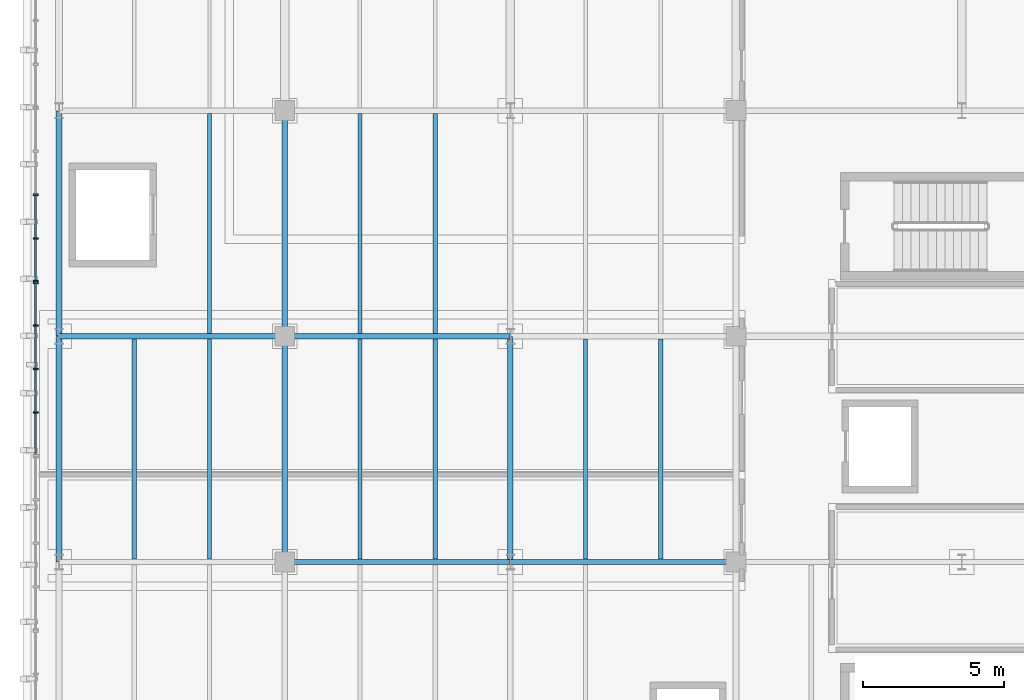
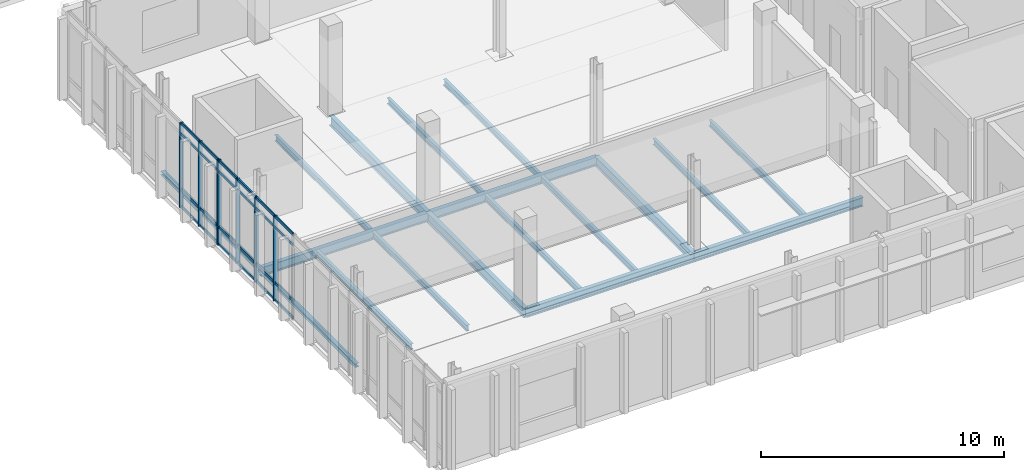
# One storey, part 20 of 100: 31 members, 18 beams, 2 elements without a shape of their own.
"""IFC4 building model written with IfcOpenShell, lengths in metres."""

from ifc_helpers import new_model, si_unit, direction, frame, origin, origin_2d, place, context, subcontext, project, spatial, rectangle, i_section, extrude, material, material_profile, profile_set, type_object, element, aggregate, save


model = new_model("IFC4")

# Units and contexts
model_context = context("Model", 3, precision=1e-05, world=origin(), true_north=direction((0.0, 1.0)))
body_context = subcontext(model_context, "Body", "Model", "MODEL_VIEW")
ifc_project = project(units=[si_unit("LENGTHUNIT", "METRE"), si_unit("AREAUNIT", "SQUARE_METRE"), si_unit("VOLUMEUNIT", "CUBIC_METRE"), si_unit("PLANEANGLEUNIT", "RADIAN"), si_unit("MASSUNIT", "GRAM", prefix="KILO")], contexts=[model_context])

# Site, building, storey
site_placement = place(None, origin())
site = spatial("IfcSite", under=ifc_project, at=site_placement, CompositionType="ELEMENT")
building_placement = place(site_placement, origin())
building = spatial("IfcBuilding", under=site, at=building_placement, Name="Cymarion Research Institute", CompositionType="ELEMENT")
storey_placement = place(building_placement, frame((0.0, 0.0, 4.800048828125)))
storey = spatial("IfcBuildingStorey", under=building, at=storey_placement, Name="L01", CompositionType="ELEMENT", Elevation=4.800048828125)

# Curtain wall, members
ifc_material_1 = material(Name="Anodised aluminium unitised curtain wall with Low-E glazing", Category="aluminium")
curtain_wall_type = type_object("IfcCurtainWallType", Name="UNITISED CURTAIN WALL CW22 6180X4250", PredefinedType="NOTDEFINED", material=ifc_material_1)
curtain_wall_1_placement = place(storey_placement, origin())
curtain_wall_1 = element("IfcCurtainWall", 1, at=curtain_wall_1_placement, inside=storey, type_object=curtain_wall_type, Name="L01 V4 unitised curtain wall CW22 #45", PredefinedType="NOTDEFINED")
ifc_material_2 = material(Name="Anodised aluminium framing", Category="aluminium")
ifc_material_profile_1 = material_profile(ifc_material_2, rectangle(XDim=0.06005859375, YDim=0.179931640625, at=origin_2d()), Name="ALU MULLION 60x180")
ifc_profile_set_1 = profile_set([ifc_material_profile_1], Name="Anodised aluminium framing")
member_type_1 = type_object("IfcMemberType", Name="CURTAIN WALL MULLION ML01 60X180", PredefinedType="MULLION", material=ifc_profile_set_1)
member_1_placement = place(storey_placement, frame((5.77001953125, 68.5146484375, 0.0), z_axis=(0.0, 0.0, 1.0), x_axis=(0.0, -1.0, 0.0)))
member_1 = element("IfcMember", 2, at=member_1_placement, type_object=member_type_1, Name="CW22 mullion 3", PredefinedType="MULLION", context=body_context, shape_type="SweptSolid", body=[
    extrude(rectangle(XDim=0.06005859375, YDim=0.179931640625, at=origin_2d()), origin(), (0.0, 0.0, 1.0), 4.25),
])
member_2_placement = place(storey_placement, frame((5.77001953125, 66.970703125, 0.0), z_axis=(0.0, 0.0, 1.0), x_axis=(0.0, -1.0, 0.0)))
member_2 = element("IfcMember", 3, at=member_2_placement, type_object=member_type_1, Name="CW22 mullion 4", PredefinedType="MULLION", context=body_context, shape_type="SweptSolid", body=[
    extrude(rectangle(XDim=0.06005859375, YDim=0.179931640625, at=origin_2d()), origin(), (0.0, 0.0, 1.0), 4.25),
])
member_3_placement = place(storey_placement, frame((5.77001953125, 65.456787109375, 0.0), z_axis=(0.0, 0.0, 1.0), x_axis=(0.0, -1.0, 0.0)))
member_3 = element("IfcMember", 4, at=member_3_placement, type_object=member_type_1, Name="CW22 mullion 5", PredefinedType="MULLION", context=body_context, shape_type="SweptSolid", body=[
    extrude(rectangle(XDim=0.06005859375, YDim=0.179931640625, at=origin_2d()), origin(), (0.0, 0.0, 1.0), 4.25),
])

curtain_wall_2_placement = place(storey_placement, origin())
curtain_wall_2 = element("IfcCurtainWall", 5, at=curtain_wall_2_placement, inside=storey, type_object=curtain_wall_type, Name="L01 V4 unitised curtain wall CW22 #46", PredefinedType="NOTDEFINED")
member_4_placement = place(storey_placement, frame((5.77001953125, 65.396728515625, 0.0), z_axis=(0.0, 0.0, 1.0), x_axis=(0.0, -1.0, 0.0)))
member_4 = element("IfcMember", 6, at=member_4_placement, type_object=member_type_1, Name="CW22 mullion 1", PredefinedType="MULLION", context=body_context, shape_type="SweptSolid", body=[
    extrude(rectangle(XDim=0.06005859375, YDim=0.179931640625, at=origin_2d()), origin(), (0.0, 0.0, 1.0), 4.25),
])
member_5_placement = place(storey_placement, frame((5.77001953125, 63.8828125, 0.0), z_axis=(0.0, 0.0, 1.0), x_axis=(0.0, -1.0, 0.0)))
member_5 = element("IfcMember", 7, at=member_5_placement, type_object=member_type_1, Name="CW22 mullion 2", PredefinedType="MULLION", context=body_context, shape_type="SweptSolid", body=[
    extrude(rectangle(XDim=0.06005859375, YDim=0.179931640625, at=origin_2d()), origin(), (0.0, 0.0, 1.0), 4.25),
])
member_6_placement = place(storey_placement, frame((5.77001953125, 62.339111328125, 0.0), z_axis=(0.0, 0.0, 1.0), x_axis=(0.0, -1.0, 0.0)))
member_6 = element("IfcMember", 8, at=member_6_placement, type_object=member_type_1, Name="CW22 mullion 3", PredefinedType="MULLION", context=body_context, shape_type="SweptSolid", body=[
    extrude(rectangle(XDim=0.06005859375, YDim=0.179931640625, at=origin_2d()), origin(), (0.0, 0.0, 1.0), 4.25),
])
member_7_placement = place(storey_placement, frame((5.77001953125, 60.795166015625, 0.0), z_axis=(0.0, 0.0, 1.0), x_axis=(0.0, -1.0, 0.0)))
member_7 = element("IfcMember", 9, at=member_7_placement, type_object=member_type_1, Name="CW22 mullion 4", PredefinedType="MULLION", context=body_context, shape_type="SweptSolid", body=[
    extrude(rectangle(XDim=0.06005859375, YDim=0.179931640625, at=origin_2d()), origin(), (0.0, 0.0, 1.0), 4.25),
])

# Member
ifc_material_profile_2 = material_profile(ifc_material_2, rectangle(XDim=0.06005859375, YDim=0.14990234375, at=origin_2d()), Name="ALU TRANSOM 60x150")
ifc_profile_set_2 = profile_set([ifc_material_profile_2], Name="Anodised aluminium framing")
member_type_2 = type_object("IfcMemberType", Name="CURTAIN WALL TRANSOM TR01 60X150", PredefinedType="USERDEFINED", material=ifc_profile_set_2)
member_8_placement = place(storey_placement, frame((5.77001953125, 68.484619140625, 0.030029296875), z_axis=(0.0, -1.0, 0.0), x_axis=(1.0, 0.0, 0.0)))
member_8 = element("IfcMember", 10, at=member_8_placement, type_object=member_type_2, Name="CW22 transom 3.1", ObjectType="TRANSOM", PredefinedType="USERDEFINED", context=body_context, shape_type="SweptSolid", body=[
    extrude(rectangle(XDim=0.06005859375, YDim=0.14990234375, at=origin_2d()), origin(), (0.0, 0.0, 1.0), 1.48388671875),
])

member_9_placement = place(storey_placement, frame((5.77001953125, 68.484619140625, 0.89990234375), z_axis=(0.0, -1.0, 0.0), x_axis=(1.0, 0.0, 0.0)))
member_9 = element("IfcMember", 11, at=member_9_placement, type_object=member_type_2, Name="CW22 transom 3.2", ObjectType="TRANSOM", PredefinedType="USERDEFINED", context=body_context, shape_type="SweptSolid", body=[
    extrude(rectangle(XDim=0.06005859375, YDim=0.14990234375, at=origin_2d()), origin(), (0.0, 0.0, 1.0), 1.48388671875),
])

member_10_placement = place(storey_placement, frame((5.77001953125, 68.484619140625, 3.699951171875), z_axis=(0.0, -1.0, 0.0), x_axis=(1.0, 0.0, 0.0)))
member_10 = element("IfcMember", 12, at=member_10_placement, type_object=member_type_2, Name="CW22 transom 3.3", ObjectType="TRANSOM", PredefinedType="USERDEFINED", context=body_context, shape_type="SweptSolid", body=[
    extrude(rectangle(XDim=0.06005859375, YDim=0.14990234375, at=origin_2d()), origin(), (0.0, 0.0, 1.0), 1.48388671875),
])

member_11_placement = place(storey_placement, frame((5.77001953125, 68.484619140625, 4.219970703125), z_axis=(0.0, -1.0, 0.0), x_axis=(1.0, 0.0, 0.0)))
member_11 = element("IfcMember", 13, at=member_11_placement, type_object=member_type_2, Name="CW22 transom 3.4", ObjectType="TRANSOM", PredefinedType="USERDEFINED", context=body_context, shape_type="SweptSolid", body=[
    extrude(rectangle(XDim=0.06005859375, YDim=0.14990234375, at=origin_2d()), origin(), (0.0, 0.0, 1.0), 1.48388671875),
])

member_12_placement = place(storey_placement, frame((5.77001953125, 66.940673828125, 0.030029296875), z_axis=(0.0, -1.0, 0.0), x_axis=(1.0, 0.0, 0.0)))
member_12 = element("IfcMember", 14, at=member_12_placement, type_object=member_type_2, Name="CW22 transom 4.1", ObjectType="TRANSOM", PredefinedType="USERDEFINED", context=body_context, shape_type="SweptSolid", body=[
    extrude(rectangle(XDim=0.06005859375, YDim=0.14990234375, at=origin_2d()), origin(), (0.0, 0.0, 1.0), 1.453857421875),
])

member_13_placement = place(storey_placement, frame((5.77001953125, 66.940673828125, 0.89990234375), z_axis=(0.0, -1.0, 0.0), x_axis=(1.0, 0.0, 0.0)))
member_13 = element("IfcMember", 15, at=member_13_placement, type_object=member_type_2, Name="CW22 transom 4.2", ObjectType="TRANSOM", PredefinedType="USERDEFINED", context=body_context, shape_type="SweptSolid", body=[
    extrude(rectangle(XDim=0.06005859375, YDim=0.14990234375, at=origin_2d()), origin(), (0.0, 0.0, 1.0), 1.453857421875),
])

member_14_placement = place(storey_placement, frame((5.77001953125, 66.940673828125, 3.699951171875), z_axis=(0.0, -1.0, 0.0), x_axis=(1.0, 0.0, 0.0)))
member_14 = element("IfcMember", 16, at=member_14_placement, type_object=member_type_2, Name="CW22 transom 4.3", ObjectType="TRANSOM", PredefinedType="USERDEFINED", context=body_context, shape_type="SweptSolid", body=[
    extrude(rectangle(XDim=0.06005859375, YDim=0.14990234375, at=origin_2d()), origin(), (0.0, 0.0, 1.0), 1.453857421875),
])

member_15_placement = place(storey_placement, frame((5.77001953125, 66.940673828125, 4.219970703125), z_axis=(0.0, -1.0, 0.0), x_axis=(1.0, 0.0, 0.0)))
member_15 = element("IfcMember", 17, at=member_15_placement, type_object=member_type_2, Name="CW22 transom 4.4", ObjectType="TRANSOM", PredefinedType="USERDEFINED", context=body_context, shape_type="SweptSolid", body=[
    extrude(rectangle(XDim=0.06005859375, YDim=0.14990234375, at=origin_2d()), origin(), (0.0, 0.0, 1.0), 1.453857421875),
])

aggregate(curtain_wall_1, [member_1, member_2, member_3, member_8, member_9, member_10, member_11, member_12, member_13, member_14, member_15])

member_16_placement = place(storey_placement, frame((5.77001953125, 65.36669921875, 0.030029296875), z_axis=(0.0, -1.0, 0.0), x_axis=(1.0, 0.0, 0.0)))
member_16 = element("IfcMember", 18, at=member_16_placement, type_object=member_type_2, Name="CW22 transom 1.1", ObjectType="TRANSOM", PredefinedType="USERDEFINED", context=body_context, shape_type="SweptSolid", body=[
    extrude(rectangle(XDim=0.06005859375, YDim=0.14990234375, at=origin_2d()), origin(), (0.0, 0.0, 1.0), 1.453857421875),
])

member_17_placement = place(storey_placement, frame((5.77001953125, 65.36669921875, 0.89990234375), z_axis=(0.0, -1.0, 0.0), x_axis=(1.0, 0.0, 0.0)))
member_17 = element("IfcMember", 19, at=member_17_placement, type_object=member_type_2, Name="CW22 transom 1.2", ObjectType="TRANSOM", PredefinedType="USERDEFINED", context=body_context, shape_type="SweptSolid", body=[
    extrude(rectangle(XDim=0.06005859375, YDim=0.14990234375, at=origin_2d()), origin(), (0.0, 0.0, 1.0), 1.453857421875),
])

member_18_placement = place(storey_placement, frame((5.77001953125, 65.36669921875, 3.699951171875), z_axis=(0.0, -1.0, 0.0), x_axis=(1.0, 0.0, 0.0)))
member_18 = element("IfcMember", 20, at=member_18_placement, type_object=member_type_2, Name="CW22 transom 1.3", ObjectType="TRANSOM", PredefinedType="USERDEFINED", context=body_context, shape_type="SweptSolid", body=[
    extrude(rectangle(XDim=0.06005859375, YDim=0.14990234375, at=origin_2d()), origin(), (0.0, 0.0, 1.0), 1.453857421875),
])

member_19_placement = place(storey_placement, frame((5.77001953125, 65.36669921875, 4.219970703125), z_axis=(0.0, -1.0, 0.0), x_axis=(1.0, 0.0, 0.0)))
member_19 = element("IfcMember", 21, at=member_19_placement, type_object=member_type_2, Name="CW22 transom 1.4", ObjectType="TRANSOM", PredefinedType="USERDEFINED", context=body_context, shape_type="SweptSolid", body=[
    extrude(rectangle(XDim=0.06005859375, YDim=0.14990234375, at=origin_2d()), origin(), (0.0, 0.0, 1.0), 1.453857421875),
])

member_20_placement = place(storey_placement, frame((5.77001953125, 63.852783203125, 0.030029296875), z_axis=(0.0, -1.0, 0.0), x_axis=(1.0, 0.0, 0.0)))
member_20 = element("IfcMember", 22, at=member_20_placement, type_object=member_type_2, Name="CW22 transom 2.1", ObjectType="TRANSOM", PredefinedType="USERDEFINED", context=body_context, shape_type="SweptSolid", body=[
    extrude(rectangle(XDim=0.06005859375, YDim=0.14990234375, at=origin_2d()), origin(), (0.0, 0.0, 1.0), 1.48388671875),
])

member_21_placement = place(storey_placement, frame((5.77001953125, 63.852783203125, 0.89990234375), z_axis=(0.0, -1.0, 0.0), x_axis=(1.0, 0.0, 0.0)))
member_21 = element("IfcMember", 23, at=member_21_placement, type_object=member_type_2, Name="CW22 transom 2.2", ObjectType="TRANSOM", PredefinedType="USERDEFINED", context=body_context, shape_type="SweptSolid", body=[
    extrude(rectangle(XDim=0.06005859375, YDim=0.14990234375, at=origin_2d()), origin(), (0.0, 0.0, 1.0), 1.48388671875),
])

member_22_placement = place(storey_placement, frame((5.77001953125, 63.852783203125, 3.699951171875), z_axis=(0.0, -1.0, 0.0), x_axis=(1.0, 0.0, 0.0)))
member_22 = element("IfcMember", 24, at=member_22_placement, type_object=member_type_2, Name="CW22 transom 2.3", ObjectType="TRANSOM", PredefinedType="USERDEFINED", context=body_context, shape_type="SweptSolid", body=[
    extrude(rectangle(XDim=0.06005859375, YDim=0.14990234375, at=origin_2d()), origin(), (0.0, 0.0, 1.0), 1.48388671875),
])

member_23_placement = place(storey_placement, frame((5.77001953125, 63.852783203125, 4.219970703125), z_axis=(0.0, -1.0, 0.0), x_axis=(1.0, 0.0, 0.0)))
member_23 = element("IfcMember", 25, at=member_23_placement, type_object=member_type_2, Name="CW22 transom 2.4", ObjectType="TRANSOM", PredefinedType="USERDEFINED", context=body_context, shape_type="SweptSolid", body=[
    extrude(rectangle(XDim=0.06005859375, YDim=0.14990234375, at=origin_2d()), origin(), (0.0, 0.0, 1.0), 1.48388671875),
])

member_24_placement = place(storey_placement, frame((5.77001953125, 62.30908203125, 0.030029296875), z_axis=(0.0, -1.0, 0.0), x_axis=(1.0, 0.0, 0.0)))
member_24 = element("IfcMember", 26, at=member_24_placement, type_object=member_type_2, Name="CW22 transom 3.1", ObjectType="TRANSOM", PredefinedType="USERDEFINED", context=body_context, shape_type="SweptSolid", body=[
    extrude(rectangle(XDim=0.06005859375, YDim=0.14990234375, at=origin_2d()), origin(), (0.0, 0.0, 1.0), 1.48388671875),
])

member_25_placement = place(storey_placement, frame((5.77001953125, 62.30908203125, 0.89990234375), z_axis=(0.0, -1.0, 0.0), x_axis=(1.0, 0.0, 0.0)))
member_25 = element("IfcMember", 27, at=member_25_placement, type_object=member_type_2, Name="CW22 transom 3.2", ObjectType="TRANSOM", PredefinedType="USERDEFINED", context=body_context, shape_type="SweptSolid", body=[
    extrude(rectangle(XDim=0.06005859375, YDim=0.14990234375, at=origin_2d()), origin(), (0.0, 0.0, 1.0), 1.48388671875),
])

member_26_placement = place(storey_placement, frame((5.77001953125, 62.30908203125, 3.699951171875), z_axis=(0.0, -1.0, 0.0), x_axis=(1.0, 0.0, 0.0)))
member_26 = element("IfcMember", 28, at=member_26_placement, type_object=member_type_2, Name="CW22 transom 3.3", ObjectType="TRANSOM", PredefinedType="USERDEFINED", context=body_context, shape_type="SweptSolid", body=[
    extrude(rectangle(XDim=0.06005859375, YDim=0.14990234375, at=origin_2d()), origin(), (0.0, 0.0, 1.0), 1.48388671875),
])

member_27_placement = place(storey_placement, frame((5.77001953125, 62.30908203125, 4.219970703125), z_axis=(0.0, -1.0, 0.0), x_axis=(1.0, 0.0, 0.0)))
member_27 = element("IfcMember", 29, at=member_27_placement, type_object=member_type_2, Name="CW22 transom 3.4", ObjectType="TRANSOM", PredefinedType="USERDEFINED", context=body_context, shape_type="SweptSolid", body=[
    extrude(rectangle(XDim=0.06005859375, YDim=0.14990234375, at=origin_2d()), origin(), (0.0, 0.0, 1.0), 1.48388671875),
])

member_28_placement = place(storey_placement, frame((5.77001953125, 60.76513671875, 0.030029296875), z_axis=(0.0, -1.0, 0.0), x_axis=(1.0, 0.0, 0.0)))
member_28 = element("IfcMember", 30, at=member_28_placement, type_object=member_type_2, Name="CW22 transom 4.1", ObjectType="TRANSOM", PredefinedType="USERDEFINED", context=body_context, shape_type="SweptSolid", body=[
    extrude(rectangle(XDim=0.06005859375, YDim=0.14990234375, at=origin_2d()), origin(), (0.0, 0.0, 1.0), 1.453857421875),
])

member_29_placement = place(storey_placement, frame((5.77001953125, 60.76513671875, 0.89990234375), z_axis=(0.0, -1.0, 0.0), x_axis=(1.0, 0.0, 0.0)))
member_29 = element("IfcMember", 31, at=member_29_placement, type_object=member_type_2, Name="CW22 transom 4.2", ObjectType="TRANSOM", PredefinedType="USERDEFINED", context=body_context, shape_type="SweptSolid", body=[
    extrude(rectangle(XDim=0.06005859375, YDim=0.14990234375, at=origin_2d()), origin(), (0.0, 0.0, 1.0), 1.453857421875),
])

member_30_placement = place(storey_placement, frame((5.77001953125, 60.76513671875, 3.699951171875), z_axis=(0.0, -1.0, 0.0), x_axis=(1.0, 0.0, 0.0)))
member_30 = element("IfcMember", 32, at=member_30_placement, type_object=member_type_2, Name="CW22 transom 4.3", ObjectType="TRANSOM", PredefinedType="USERDEFINED", context=body_context, shape_type="SweptSolid", body=[
    extrude(rectangle(XDim=0.06005859375, YDim=0.14990234375, at=origin_2d()), origin(), (0.0, 0.0, 1.0), 1.453857421875),
])

member_31_placement = place(storey_placement, frame((5.77001953125, 60.76513671875, 4.219970703125), z_axis=(0.0, -1.0, 0.0), x_axis=(1.0, 0.0, 0.0)))
member_31 = element("IfcMember", 33, at=member_31_placement, type_object=member_type_2, Name="CW22 transom 4.4", ObjectType="TRANSOM", PredefinedType="USERDEFINED", context=body_context, shape_type="SweptSolid", body=[
    extrude(rectangle(XDim=0.06005859375, YDim=0.14990234375, at=origin_2d()), origin(), (0.0, 0.0, 1.0), 1.453857421875),
])

aggregate(curtain_wall_2, [member_4, member_5, member_6, member_7, member_16, member_17, member_18, member_19, member_20, member_21, member_22, member_23, member_24, member_25, member_26, member_27, member_28, member_29, member_30, member_31])

# Beams
ifc_material_3 = material(Name="Steel S355", Category="steel")
ifc_material_profile_3 = material_profile(ifc_material_3, i_section(OverallWidth=0.199951171875, OverallDepth=0.5, WebThickness=0.01025390625, FlangeThickness=0.01611328125, FilletRadius=0.02099609375, at=origin_2d()), Name="IPE 500")
ifc_profile_set_3 = profile_set([ifc_material_profile_3], Name="Steel S355")
beam_type_1 = type_object("IfcBeamType", Name="PRIMARY GIRDER BM03 IPE 500", PredefinedType="BEAM", material=ifc_profile_set_3)
for number, where, z_axis, x_axis, name in (
    (34, (14.60009765625, 55.506103515625, -0.5), (0.0, 1.0, 0.0), (-1.0, 0.0, 0.0), "L01 V4 girder BM03 #652"),
    (35, (14.60009765625, 63.506103515625, -0.5), (0.0, 1.0, 0.0), (-1.0, 0.0, 0.0), "L01 V4 girder BM03 #653"),
    (36, (22.60009765625, 55.506103515625, -0.5), (0.0, 1.0, 0.0), (-1.0, 0.0, 0.0), "L01 V4 girder BM03 #656"),
):
    element("IfcBeam", number, at=place(storey_placement, frame(where, z_axis=z_axis, x_axis=x_axis)), inside=storey, type_object=beam_type_1, Name=name, PredefinedType="BEAM", context=body_context, shape_type="SweptSolid", body=[
        extrude(i_section(OverallWidth=0.199951171875, OverallDepth=0.5, WebThickness=0.01025390625, FlangeThickness=0.01611328125, FilletRadius=0.02099609375, at=origin_2d()), origin(), (0.0, 0.0, 1.0), 7.98779296875),
    ])
ifc_material_profile_4 = material_profile(ifc_material_3, i_section(OverallWidth=0.18994140625, OverallDepth=0.449951171875, WebThickness=0.009521484375, FlangeThickness=0.0146484375, FilletRadius=0.02099609375, at=origin_2d()), Name="IPE 450")
ifc_profile_set_4 = profile_set([ifc_material_profile_4], Name="Steel S355")
beam_type_2 = type_object("IfcBeamType", Name="PRIMARY GIRDER BM04 IPE 450", PredefinedType="BEAM", material=ifc_profile_set_4)
for number, where, z_axis, x_axis, name in (
    (37, (14.60595703125, 55.5, -0.47509765625), (1.0, 0.0, 0.0), (0.0, 1.0, 0.0), "L01 V4 girder BM04 #628"),
    (38, (22.60595703125, 55.5, -0.47509765625), (1.0, 0.0, 0.0), (0.0, 1.0, 0.0), "L01 V4 girder BM04 #629"),
    (39, (6.60595703125, 63.5, -0.47509765625), (1.0, 0.0, 0.0), (0.0, 1.0, 0.0), "L01 V4 girder BM04 #632"),
    (40, (14.60595703125, 63.5, -0.47509765625), (1.0, 0.0, 0.0), (0.0, 1.0, 0.0), "L01 V4 girder BM04 #633"),
):
    element("IfcBeam", number, at=place(storey_placement, frame(where, z_axis=z_axis, x_axis=x_axis)), inside=storey, type_object=beam_type_2, Name=name, PredefinedType="BEAM", context=body_context, shape_type="SweptSolid", body=[
        extrude(i_section(OverallWidth=0.18994140625, OverallDepth=0.449951171875, WebThickness=0.009521484375, FlangeThickness=0.0146484375, FilletRadius=0.02099609375, at=origin_2d()), origin(), (0.0, 0.0, 1.0), 7.988037109375),
    ])
ifc_material_profile_5 = material_profile(ifc_material_3, i_section(OverallWidth=0.14990234375, OverallDepth=0.300048828125, WebThickness=0.007080078125, FlangeThickness=0.0107421875, FilletRadius=0.014892578125, at=origin_2d()), Name="IPE 300")
ifc_profile_set_5 = profile_set([ifc_material_profile_5], Name="Steel S355")
beam_type_3 = type_object("IfcBeamType", Name="SECONDARY JOIST JS02 IPE 300", PredefinedType="JOIST", material=ifc_profile_set_5)
for number, where, z_axis, x_axis, name in (
    (41, (9.2666015625, 55.59912109375, -0.400146484375), (0.0, 1.0, 0.0), (-1.0, 0.0, 0.0), "L01 V4 secondary joist JS02 #675"),
    (42, (11.933349609375, 55.59912109375, -0.400146484375), (0.0, 1.0, 0.0), (-1.0, 0.0, 0.0), "L01 V4 secondary joist JS02 #676"),
    (43, (17.2666015625, 55.59912109375, -0.400146484375), (0.0, 1.0, 0.0), (-1.0, 0.0, 0.0), "L01 V4 secondary joist JS02 #677"),
    (44, (19.933349609375, 55.59912109375, -0.400146484375), (0.0, 1.0, 0.0), (-1.0, 0.0, 0.0), "L01 V4 secondary joist JS02 #678"),
    (45, (25.2666015625, 55.59912109375, -0.400146484375), (0.0, 1.0, 0.0), (-1.0, 0.0, 0.0), "L01 V4 secondary joist JS02 #679"),
    (46, (27.933349609375, 55.59912109375, -0.400146484375), (0.0, 1.0, 0.0), (-1.0, 0.0, 0.0), "L01 V4 secondary joist JS02 #680"),
    (47, (11.933349609375, 63.59912109375, -0.400146484375), (0.0, 1.0, 0.0), (-1.0, 0.0, 0.0), "L01 V4 secondary joist JS02 #681"),
    (48, (17.2666015625, 63.59912109375, -0.400146484375), (0.0, 1.0, 0.0), (-1.0, 0.0, 0.0), "L01 V4 secondary joist JS02 #682"),
    (49, (19.933349609375, 63.59912109375, -0.400146484375), (0.0, 1.0, 0.0), (-1.0, 0.0, 0.0), "L01 V4 secondary joist JS02 #683"),
):
    element("IfcBeam", number, at=place(storey_placement, frame(where, z_axis=z_axis, x_axis=x_axis)), inside=storey, type_object=beam_type_3, Name=name, PredefinedType="JOIST", context=body_context, shape_type="SweptSolid", body=[
        extrude(i_section(OverallWidth=0.14990234375, OverallDepth=0.300048828125, WebThickness=0.007080078125, FlangeThickness=0.0107421875, FilletRadius=0.014892578125, at=origin_2d()), origin(), (0.0, 0.0, 1.0), 7.8017578125),
    ])
ifc_material_profile_6 = material_profile(ifc_material_3, i_section(OverallWidth=0.199951171875, OverallDepth=0.18994140625, WebThickness=0.006591796875, FlangeThickness=0.010009765625, FilletRadius=0.01806640625, at=origin_2d()), Name="HEA 200")
ifc_profile_set_6 = profile_set([ifc_material_profile_6], Name="Steel S355")
beam_type_4 = type_object("IfcBeamType", Name="SPANDREL BEAM SPB04 HEA 200", PredefinedType="SPANDREL", material=ifc_profile_set_6)
for number, where, z_axis, x_axis, name in (
    (50, (6.60009765625, 55.506103515625, -0.344970703125), (0.0, 1.0, 0.0), (-1.0, 0.0, 0.0), "L01 V4 girder SPB04 #648"),
    (51, (6.60009765625, 63.506103515625, -0.344970703125), (0.0, 1.0, 0.0), (-1.0, 0.0, 0.0), "L01 V4 girder SPB04 #649"),
):
    element("IfcBeam", number, at=place(storey_placement, frame(where, z_axis=z_axis, x_axis=x_axis)), inside=storey, type_object=beam_type_4, Name=name, PredefinedType="SPANDREL", context=body_context, shape_type="SweptSolid", body=[
        extrude(i_section(OverallWidth=0.199951171875, OverallDepth=0.18994140625, WebThickness=0.006591796875, FlangeThickness=0.010009765625, FilletRadius=0.01806640625, at=origin_2d()), origin(), (0.0, 0.0, 1.0), 7.98779296875),
    ])

save(model, "model.ifc")
